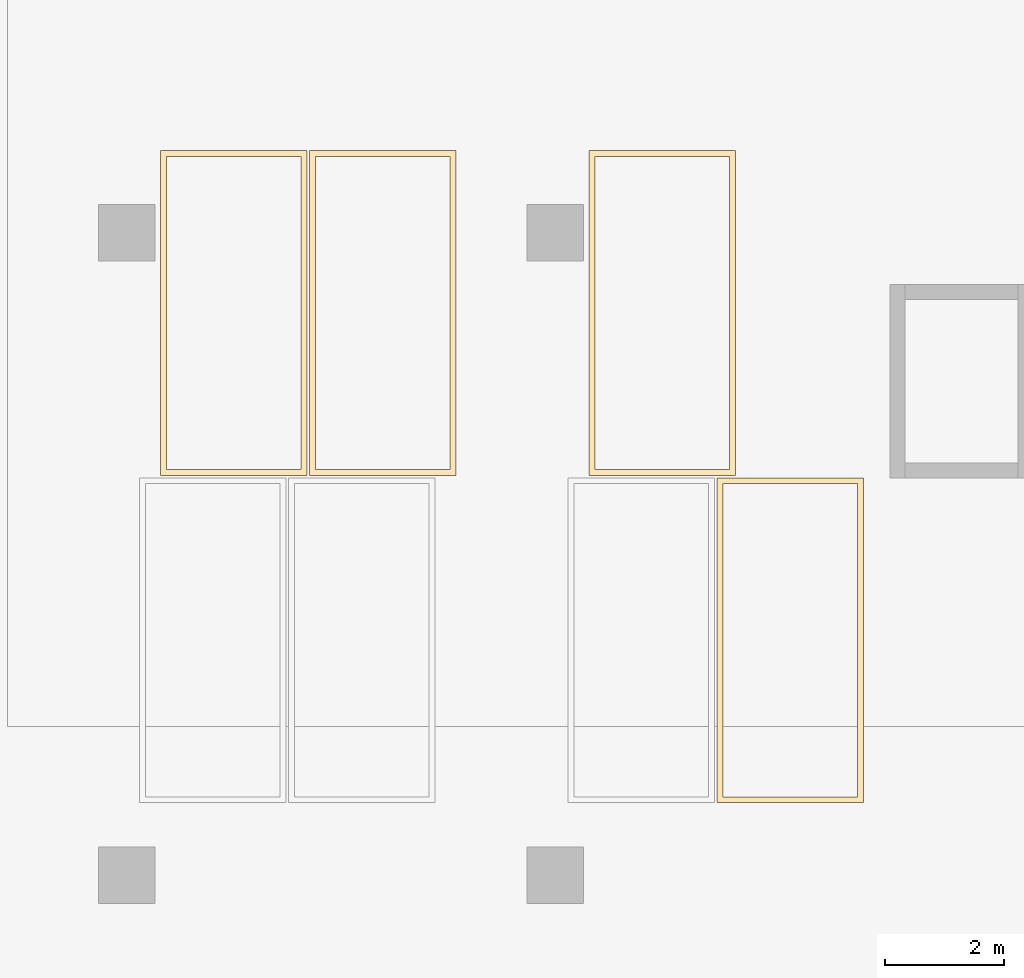
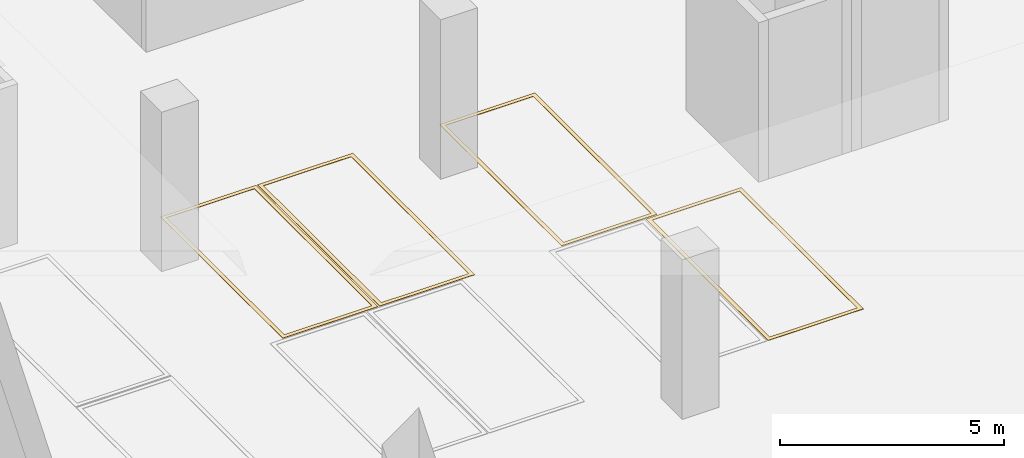
# One storey, part 16 of 18: 4 coverings.
"""IFC4 building model written with IfcOpenShell, lengths in metres."""

import ifcopenshell
import ifcopenshell.guid

model = None  # the IFC model being written
_history = None  # IfcOwnerHistory: only IFC2X3 demands one
_inside = {}  # id of a spatial element -> (the spatial element, [elements in it])
_under = {}  # id of a project, library or spatial element -> (it, [spatial elements below it])
_declared = {}  # id of a project -> (the project, [libraries it declares])
_typed = {}  # id of a type object -> (the type object, [elements of that type])
_made_of = {}  # id of a material, layer set ... -> (it, [elements and type objects made of it])


def new_model(schema):
    """Start an empty IFC model of exactly this schema.

    Asked for "IFC4X3", IfcOpenShell would pick the latest addendum, in which some entities
    have other attributes; the version numbers below select the first issue.
    IFC2X3 requires an IfcOwnerHistory on every rooted entity: one is made here for all.
    """
    global model, _history
    if schema == "IFC4X3":
        model = ifcopenshell.file(schema_version=(4, 3, 0, 0))
    else:
        model = ifcopenshell.file(schema=schema)
    _inside.clear()
    _under.clear()
    _declared.clear()
    _typed.clear()
    _made_of.clear()
    _history = None
    if model.schema == "IFC2X3":
        org = make("IfcOrganization", Name="unknown")
        user = make(
            "IfcPersonAndOrganization",
            ThePerson=make("IfcPerson", FamilyName="unknown"),
            TheOrganization=org,
        )
        app = make(
            "IfcApplication",
            ApplicationDeveloper=org,
            Version="unknown",
            ApplicationFullName="unknown",
            ApplicationIdentifier="unknown",
        )
        _history = make(
            "IfcOwnerHistory",
            OwningUser=user,
            OwningApplication=app,
            ChangeAction="ADDED",
            CreationDate=0,
        )
    return model


def make(cls, **values):
    """One entity of the class cls with the attributes given. An attribute that is None is left unset."""
    return model.create_entity(
        cls, **{name: value for name, value in values.items() if value is not None}
    )


def rooted(cls, **values):
    """An entity with a GlobalId (a new one), such as an element, a storey or a relation."""
    return make(cls, GlobalId=ifcopenshell.guid.new(), OwnerHistory=_history, **values)


def si_unit(unit_type, name, prefix=None):
    """IfcSIUnit, for example si_unit("LENGTHUNIT", "METRE", prefix="MILLI")."""
    return make("IfcSIUnit", UnitType=unit_type, Prefix=prefix, Name=name)


def assignment(units):
    """IfcUnitAssignment: the units of a project."""
    return None if units is None else make("IfcUnitAssignment", Units=units)


def point(xyz):
    """IfcCartesianPoint."""
    return None if xyz is None else make("IfcCartesianPoint", Coordinates=xyz)


def direction(xyz):
    """IfcDirection."""
    return None if xyz is None else make("IfcDirection", DirectionRatios=xyz)


def frame(location, z_axis=None, x_axis=None):
    """IfcAxis2Placement3D, a coordinate frame: its origin and axes. An axis left out is left unset."""
    return make(
        "IfcAxis2Placement3D",
        Location=point(location),
        Axis=direction(z_axis),
        RefDirection=direction(x_axis),
    )


def origin():
    """The frame at (0, 0, 0) with its axes left unset."""
    return frame((0.0, 0.0, 0.0))


def place(relative_to, where):
    """IfcLocalPlacement: puts the frame where relative to a parent placement (None: the world)."""
    return make(
        "IfcLocalPlacement", PlacementRelTo=relative_to, RelativePlacement=where
    )


def context(
    kind, dimensions, precision=None, world=None, true_north=None, identifier=None
):
    """IfcGeometricRepresentationContext, for example the 3D "Model" context."""
    return make(
        "IfcGeometricRepresentationContext",
        ContextIdentifier=identifier,
        ContextType=kind,
        CoordinateSpaceDimension=dimensions,
        Precision=precision,
        WorldCoordinateSystem=world,
        TrueNorth=true_north,
    )


def subcontext(parent, identifier, kind, view, scale=None):
    """IfcGeometricRepresentationSubContext, for example "Body" below "Model"."""
    return make(
        "IfcGeometricRepresentationSubContext",
        ContextIdentifier=identifier,
        ContextType=kind,
        ParentContext=parent,
        TargetScale=scale,
        TargetView=view,
    )


def project(units=None, contexts=None):
    """IfcProject with its units and contexts."""
    return rooted(
        "IfcProject",
        Name="project",
        RepresentationContexts=contexts,
        UnitsInContext=assignment(units),
    )


def spatial(cls, under=None, at=None, **own):
    """A site, building, storey or space (cls), placed at a placement, below another one or the project."""
    s = rooted(cls, ObjectPlacement=at, **own)
    if under is not None:
        _under.setdefault(under.id(), (under, []))[1].append(s)
    return s


def polyline(points):
    """IfcPolyline through the points."""
    return make("IfcPolyline", Points=[point(p) for p in points])


def outline(outer, holes=None, kind="AREA"):
    """IfcArbitraryClosedProfileDef: a profile drawn as a closed curve; with holes, ...WithVoids."""
    if holes is None:
        return make("IfcArbitraryClosedProfileDef", ProfileType=kind, OuterCurve=outer)
    return make(
        "IfcArbitraryProfileDefWithVoids",
        ProfileType=kind,
        OuterCurve=outer,
        InnerCurves=holes,
    )


def extrude(swept, where, along, depth):
    """IfcExtrudedAreaSolid: the profile swept, set in the frame where, extruded along a direction by depth."""
    return make(
        "IfcExtrudedAreaSolid",
        SweptArea=swept,
        Position=where,
        ExtrudedDirection=direction(along),
        Depth=depth,
    )


def shape(context_of_items, identifier, shape_type, items):
    """IfcShapeRepresentation: the items that make up one representation, for example the "Body"."""
    return make(
        "IfcShapeRepresentation",
        ContextOfItems=context_of_items,
        RepresentationIdentifier=identifier,
        RepresentationType=shape_type,
        Items=items,
    )


def material(Name=None, Category=None):
    """IfcMaterial."""
    return make("IfcMaterial", Name=Name, Category=Category)


def layer(
    of_material, thickness, ventilated=None, Name=None, Category=None, Priority=None
):
    """IfcMaterialLayer: one layer of a wall or slab, of a material (None: an air gap)."""
    return make(
        "IfcMaterialLayer",
        Material=of_material,
        LayerThickness=thickness,
        IsVentilated=ventilated,
        Name=Name,
        Category=Category,
        Priority=Priority,
    )


def layer_set(layers, Name=None):
    """IfcMaterialLayerSet."""
    return make("IfcMaterialLayerSet", MaterialLayers=layers, LayerSetName=Name)


def made_of(thing, what):
    """Note that an element or type object is made of a material, layer set ...; save() writes the relation."""
    if what is not None:
        _made_of.setdefault(what.id(), (what, []))[1].append(thing)
    return thing


def type_object(cls, material=None, **own):
    """A type object (cls), such as IfcWallType, which elements share."""
    return made_of(rooted(cls, **own), material)


def element(
    cls,
    number,
    at=None,
    inside=None,
    cuts=None,
    type_object=None,
    material=None,
    context=None,
    identifier="Body",
    shape_type=None,
    held_by="IfcProductDefinitionShape",
    body=None,
    shapes=None,
    **own,
):
    """One element of the class cls, such as IfcWall. Its Tag is "e" and its number.

    at: its placement. inside: the storey or other place that contains it. cuts: it is an
    opening in that element (IfcRelVoidsElement). A single representation is given by context,
    identifier, shape_type and body (its items); several are given by shapes. held_by: the class
    of the entity that holds the representations. save() writes the other relations.
    """
    e = rooted(cls, Tag="e%d" % number, ObjectPlacement=at, **own)
    if body is not None:
        shapes = [shape(context, identifier, shape_type, body)]
    if shapes is not None:
        e.Representation = make(held_by, Representations=shapes)
    if inside is not None:
        _inside.setdefault(inside.id(), (inside, []))[1].append(e)
    if cuts is not None:
        rooted(
            "IfcRelVoidsElement", RelatingBuildingElement=cuts, RelatedOpeningElement=e
        )
    if type_object is not None:
        _typed.setdefault(type_object.id(), (type_object, []))[1].append(e)
    return made_of(e, material)


def aggregate(whole, parts):
    """IfcRelAggregates: a whole, such as a stair, and the parts it consists of."""
    return rooted("IfcRelAggregates", RelatingObject=whole, RelatedObjects=parts)


def save(model, path):
    """Write the relations noted so far, then the file.

    IfcRelAggregates (storeys below a building ...), IfcRelContainedInSpatialStructure (elements
    in a storey), IfcRelDefinesByType, IfcRelAssociatesMaterial and IfcRelDeclares: one each for
    every whole, place, type object, material and project.
    """
    for whole, parts in _under.values():
        aggregate(whole, parts)
    for where, things in _inside.values():
        rooted(
            "IfcRelContainedInSpatialStructure",
            RelatedElements=things,
            RelatingStructure=where,
        )
    for kind, things in _typed.values():
        rooted("IfcRelDefinesByType", RelatedObjects=things, RelatingType=kind)
    for what, things in _made_of.values():
        rooted("IfcRelAssociatesMaterial", RelatedObjects=things, RelatingMaterial=what)
    for by, libraries in _declared.values():
        rooted("IfcRelDeclares", RelatingContext=by, RelatedDefinitions=libraries)
    model.write(path)


model = new_model("IFC4")

# Units and contexts
model_context = context("Model", 3, precision=1e-05, world=origin(), true_north=direction((0.0, 1.0)))
body_context = subcontext(model_context, "Body", "Model", "MODEL_VIEW")
ifc_project = project(units=[si_unit("LENGTHUNIT", "METRE"), si_unit("AREAUNIT", "SQUARE_METRE"), si_unit("VOLUMEUNIT", "CUBIC_METRE"), si_unit("PLANEANGLEUNIT", "RADIAN"), si_unit("MASSUNIT", "GRAM", prefix="KILO")], contexts=[model_context])

# Site, building, storey
site_placement = place(None, origin())
site = spatial("IfcSite", under=ifc_project, at=site_placement, CompositionType="ELEMENT")
building_placement = place(site_placement, origin())
building = spatial("IfcBuilding", under=site, at=building_placement, Name="Basin Gate Institute", CompositionType="ELEMENT")
storey_placement = place(building_placement, frame((0.0, 0.0, -4.800048828125)))
storey = spatial("IfcBuildingStorey", under=building, at=storey_placement, Name="B1", CompositionType="ELEMENT", Elevation=-4.800048828125)

# Coverings
ifc_material = material(Name="Road marking paint, white")
ifc_layer = layer(ifc_material, 0.010009765625)
ifc_layer_set = layer_set([ifc_layer], Name="Parking bay marking PM1")
covering_type = type_object("IfcCoveringType", Name="Parking bay marking PM1", PredefinedType="FLOORING", material=ifc_layer_set)
covering_1_placement = place(storey_placement, origin())
element("IfcCovering", 1, at=covering_1_placement, inside=storey, type_object=covering_type, material=ifc_layer_set, Name="Parking bay marking B1-05 36", PredefinedType="FLOORING", context=body_context, shape_type="SweptSolid", body=[
    extrude(outline(polyline([(135.919921875, 68.719970703125), (138.3798828125, 68.719970703125), (138.3798828125, 74.179931640625), (135.919921875, 74.179931640625), (135.919921875, 68.719970703125)]), holes=[polyline([(136.02001953125, 68.820068359375), (138.280029296875, 68.820068359375), (138.280029296875, 74.080078125), (136.02001953125, 74.080078125), (136.02001953125, 68.820068359375)])]), origin(), (0.0, 0.0, 1.0), 0.010009765625),
])
covering_2_placement = place(storey_placement, origin())
element("IfcCovering", 2, at=covering_2_placement, inside=storey, type_object=covering_type, material=ifc_layer_set, Name="Parking bay marking B1-05 38", PredefinedType="FLOORING", context=body_context, shape_type="SweptSolid", body=[
    extrude(outline(polyline([(126.570068359375, 74.219970703125), (129.030029296875, 74.219970703125), (129.030029296875, 79.679931640625), (126.570068359375, 79.679931640625), (126.570068359375, 74.219970703125)]), holes=[polyline([(126.669921875, 74.320068359375), (128.929931640625, 74.320068359375), (128.929931640625, 79.580078125), (126.669921875, 79.580078125), (126.669921875, 74.320068359375)])]), origin(), (0.0, 0.0, 1.0), 0.010009765625),
])
covering_3_placement = place(storey_placement, origin())
element("IfcCovering", 3, at=covering_3_placement, inside=storey, type_object=covering_type, material=ifc_layer_set, Name="Parking bay marking B1-05 39", PredefinedType="FLOORING", context=body_context, shape_type="SweptSolid", body=[
    extrude(outline(polyline([(129.070068359375, 74.219970703125), (131.530029296875, 74.219970703125), (131.530029296875, 79.679931640625), (129.070068359375, 79.679931640625), (129.070068359375, 74.219970703125)]), holes=[polyline([(129.169921875, 74.320068359375), (131.429931640625, 74.320068359375), (131.429931640625, 79.580078125), (129.169921875, 79.580078125), (129.169921875, 74.320068359375)])]), origin(), (0.0, 0.0, 1.0), 0.010009765625),
])
covering_4_placement = place(storey_placement, origin())
element("IfcCovering", 4, at=covering_4_placement, inside=storey, type_object=covering_type, material=ifc_layer_set, Name="Parking bay marking B1-05 40", PredefinedType="FLOORING", context=body_context, shape_type="SweptSolid", body=[
    extrude(outline(polyline([(133.77001953125, 74.219970703125), (136.22998046875, 74.219970703125), (136.22998046875, 79.679931640625), (133.77001953125, 79.679931640625), (133.77001953125, 74.219970703125)]), holes=[polyline([(133.8701171875, 74.320068359375), (136.1298828125, 74.320068359375), (136.1298828125, 79.580078125), (133.8701171875, 79.580078125), (133.8701171875, 74.320068359375)])]), origin(), (0.0, 0.0, 1.0), 0.010009765625),
])

save(model, "model.ifc")
